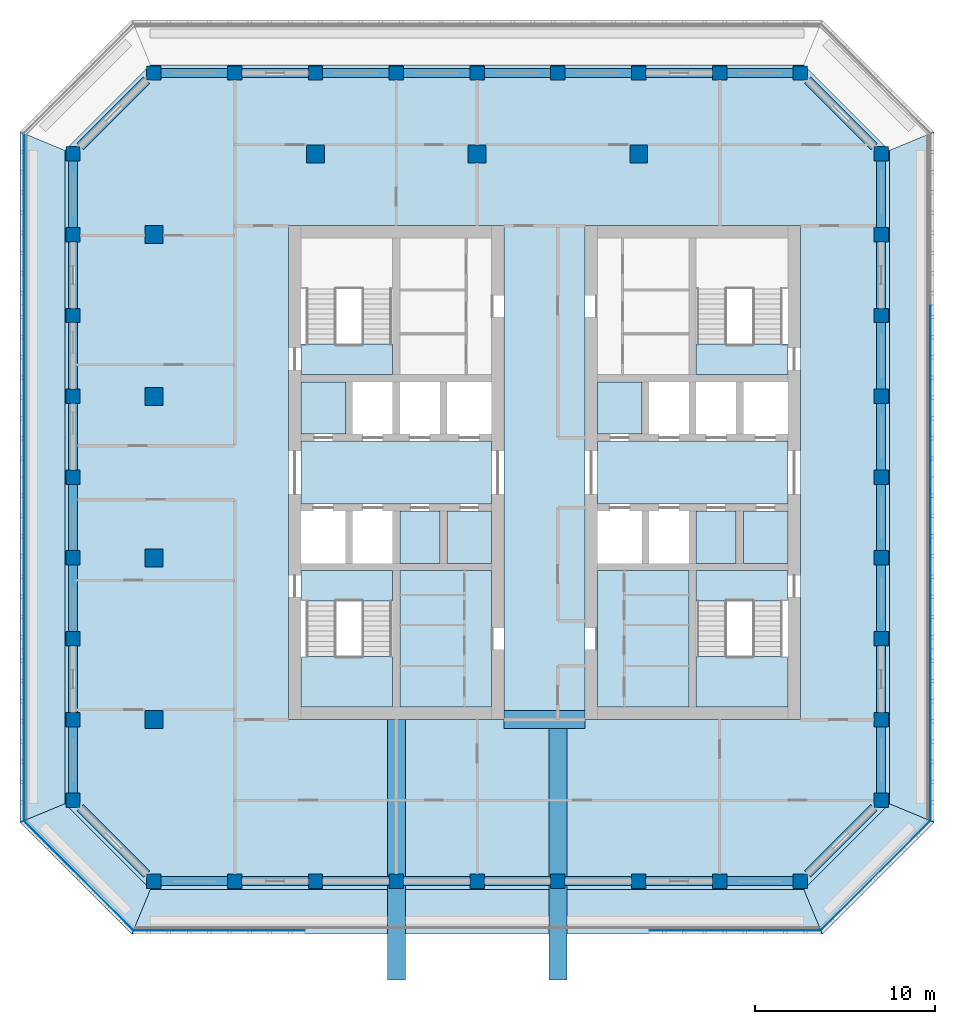
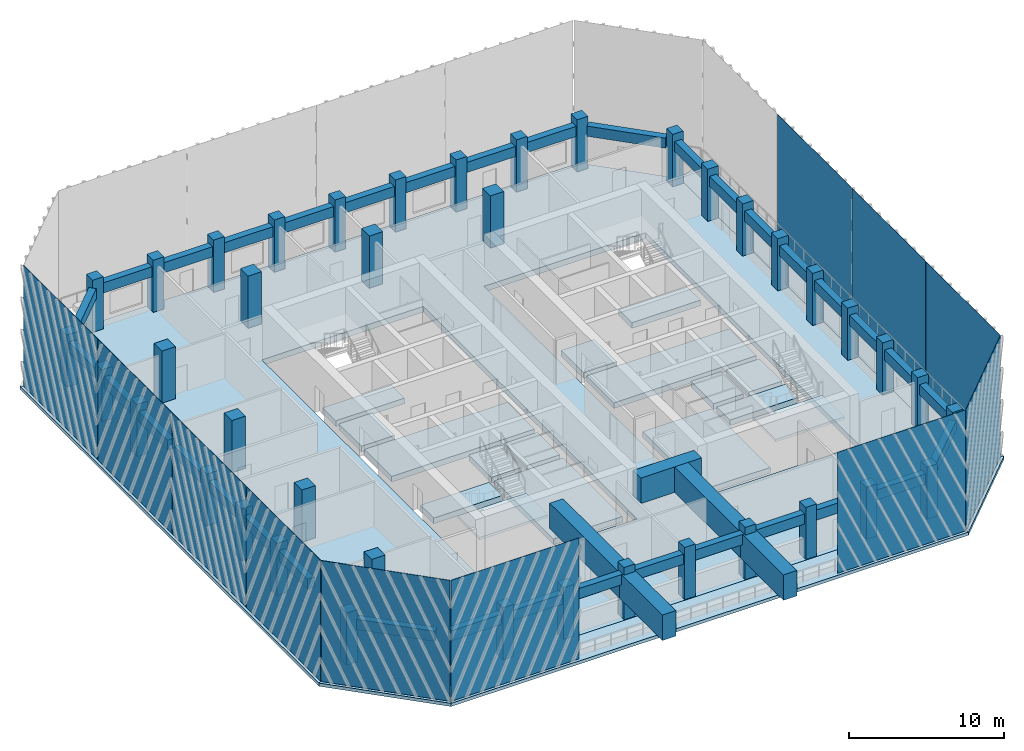
# One storey, part 1 of 16: 43 columns, 41 beams, 22 slabs, 11 plates, 2 elements without a shape of their own.
"""IFC4 building model written with IfcOpenShell, lengths in metres."""

from ifc_helpers import new_model, si_unit, direction, frame, origin, origin_2d, place, context, subcontext, project, spatial, polyline, rectangle, outline, extrude, material, layer, layer_set, material_profile, profile_set, type_object, element, aggregate, save


model = new_model("IFC4")

# Units and contexts
model_context = context("Model", 3, precision=1e-05, world=origin(), true_north=direction((0.0, 1.0)))
body_context = subcontext(model_context, "Body", "Model", "MODEL_VIEW")
ifc_project = project(units=[si_unit("LENGTHUNIT", "METRE"), si_unit("AREAUNIT", "SQUARE_METRE"), si_unit("VOLUMEUNIT", "CUBIC_METRE"), si_unit("PLANEANGLEUNIT", "RADIAN"), si_unit("MASSUNIT", "GRAM", prefix="KILO")], contexts=[model_context])

# Site, building, storey
site_placement = place(None, origin())
site = spatial("IfcSite", under=ifc_project, at=site_placement, CompositionType="ELEMENT")
building_placement = place(site_placement, origin())
building = spatial("IfcBuilding", under=site, at=building_placement, Name="Corbel Stack Research Tower", CompositionType="ELEMENT")
storey_placement = place(building_placement, frame((0.0, 0.0, 290.89990234375)))
storey = spatial("IfcBuildingStorey", under=building, at=storey_placement, Name="L66", CompositionType="ELEMENT", Elevation=290.89990234375)

# Columns
ifc_material_1 = material(Name="Concrete C60/75", Category="concrete")
ifc_material_profile_1 = material_profile(ifc_material_1, rectangle(XDim=1.0, YDim=1.0, at=origin_2d()), Name="RC 1000 x 1000")
ifc_profile_set_1 = profile_set([ifc_material_profile_1], Name="Concrete C60/75")
column_type_1 = type_object("IfcColumnType", Name="C-1000-60", PredefinedType="COLUMN", material=ifc_profile_set_1)
for number, where, z_axis, x_axis, name in (
    (1, (-18.0, -9.0, 0.0), (0.0, 0.0, 1.0), (1.0, 0.0, 0.0), "Column 4/F L66"),
    (2, (-18.0, 0.0, 0.0), (0.0, 0.0, 1.0), (1.0, 0.0, 0.0), "Column 4/H L66"),
    (3, (-18.0, 9.0, 0.0), (0.0, 0.0, 1.0), (1.0, 0.0, 0.0), "Column 4/K L66"),
    (4, (-18.0, 18.0, 0.0), (0.0, 0.0, 1.0), (1.0, 0.0, 0.0), "Column 4/M L66"),
    (5, (-9.0, 22.5, 0.0), (0.0, 0.0, 1.0), (1.0, 0.0, 0.0), "Column 6/N L66"),
    (6, (0.0, 22.5, 0.0), (0.0, 0.0, 1.0), (1.0, 0.0, 0.0), "Column 8/N L66"),
    (7, (9.0, 22.5, 0.0), (0.0, 0.0, 1.0), (1.0, 0.0, 0.0), "Column 10/N L66"),
):
    element("IfcColumn", number, at=place(storey_placement, frame(where, z_axis=z_axis, x_axis=x_axis)), inside=storey, type_object=column_type_1, Name=name, PredefinedType="COLUMN", context=body_context, shape_type="SweptSolid", body=[
        extrude(rectangle(XDim=1.0, YDim=1.0, at=origin_2d()), origin(), (0.0, 0.0, 1.0), 4.10009765625),
    ])
ifc_material_2 = material(Name="Concrete C60/75", Category="concrete")
ifc_material_profile_2 = material_profile(ifc_material_2, rectangle(XDim=0.800048828125, YDim=0.800048828125, at=origin_2d()), Name="RC 800 x 800")
ifc_profile_set_2 = profile_set([ifc_material_profile_2], Name="Concrete C60/75")
column_type_2 = type_object("IfcColumnType", Name="C-800-60", PredefinedType="COLUMN", material=ifc_profile_set_2)
for number, where, z_axis, x_axis, name in (
    (8, (-22.5, -13.5, 0.0), (0.0, 0.0, 1.0), (1.0, 0.0, 0.0), "Column 3/E L66"),
    (9, (-22.5, -9.0, 0.0), (0.0, 0.0, 1.0), (1.0, 0.0, 0.0), "Column 3/F L66"),
    (10, (-22.5, -4.5, 0.0), (0.0, 0.0, 1.0), (1.0, 0.0, 0.0), "Column 3/G L66"),
    (11, (-22.5, 0.0, 0.0), (0.0, 0.0, 1.0), (1.0, 0.0, 0.0), "Column 3/H L66"),
    (12, (-22.5, 4.5, 0.0), (0.0, 0.0, 1.0), (1.0, 0.0, 0.0), "Column 3/J L66"),
    (13, (-22.5, 9.0, 0.0), (0.0, 0.0, 1.0), (1.0, 0.0, 0.0), "Column 3/K L66"),
    (14, (-22.5, 13.5, 0.0), (0.0, 0.0, 1.0), (1.0, 0.0, 0.0), "Column 3/L L66"),
    (15, (-22.5, 18.0, 0.0), (0.0, 0.0, 1.0), (1.0, 0.0, 0.0), "Column 3/M L66"),
    (16, (-22.5, 22.5, 0.0), (0.0, 0.0, 1.0), (1.0, 0.0, 0.0), "Column 3/N L66"),
    (17, (-18.0, -18.0, 0.0), (0.0, 0.0, 1.0), (1.0, 0.0, 0.0), "Column 4/D L66"),
    (18, (-18.0, 27.0, 0.0), (0.0, 0.0, 1.0), (1.0, 0.0, 0.0), "Column 4/P L66"),
    (19, (-13.5, -18.0, 0.0), (0.0, 0.0, 1.0), (1.0, 0.0, 0.0), "Column 5/D L66"),
    (20, (-13.5, 27.0, 0.0), (0.0, 0.0, 1.0), (1.0, 0.0, 0.0), "Column 5/P L66"),
    (21, (-9.0, -18.0, 0.0), (0.0, 0.0, 1.0), (1.0, 0.0, 0.0), "Column 6/D L66"),
    (22, (-9.0, 27.0, 0.0), (0.0, 0.0, 1.0), (1.0, 0.0, 0.0), "Column 6/P L66"),
    (23, (-4.5, -18.0, 0.0), (0.0, 0.0, 1.0), (1.0, 0.0, 0.0), "Column 7/D L66"),
    (24, (-4.5, 27.0, 0.0), (0.0, 0.0, 1.0), (1.0, 0.0, 0.0), "Column 7/P L66"),
    (25, (0.0, -18.0, 0.0), (0.0, 0.0, 1.0), (1.0, 0.0, 0.0), "Column 8/D L66"),
    (26, (0.0, 27.0, 0.0), (0.0, 0.0, 1.0), (1.0, 0.0, 0.0), "Column 8/P L66"),
    (27, (4.5, -18.0, 0.0), (0.0, 0.0, 1.0), (1.0, 0.0, 0.0), "Column 9/D L66"),
    (28, (4.5, 27.0, 0.0), (0.0, 0.0, 1.0), (1.0, 0.0, 0.0), "Column 9/P L66"),
    (29, (9.0, -18.0, 0.0), (0.0, 0.0, 1.0), (1.0, 0.0, 0.0), "Column 10/D L66"),
    (30, (9.0, 27.0, 0.0), (0.0, 0.0, 1.0), (1.0, 0.0, 0.0), "Column 10/P L66"),
    (31, (13.5, -18.0, 0.0), (0.0, 0.0, 1.0), (1.0, 0.0, 0.0), "Column 11/D L66"),
    (32, (13.5, 27.0, 0.0), (0.0, 0.0, 1.0), (1.0, 0.0, 0.0), "Column 11/P L66"),
    (33, (18.0, -18.0, 0.0), (0.0, 0.0, 1.0), (1.0, 0.0, 0.0), "Column 12/D L66"),
    (34, (18.0, 27.0, 0.0), (0.0, 0.0, 1.0), (1.0, 0.0, 0.0), "Column 12/P L66"),
    (35, (22.5, -13.5, 0.0), (0.0, 0.0, 1.0), (1.0, 0.0, 0.0), "Column 13/E L66"),
    (36, (22.5, -9.0, 0.0), (0.0, 0.0, 1.0), (1.0, 0.0, 0.0), "Column 13/F L66"),
    (37, (22.5, -4.5, 0.0), (0.0, 0.0, 1.0), (1.0, 0.0, 0.0), "Column 13/G L66"),
    (38, (22.5, 0.0, 0.0), (0.0, 0.0, 1.0), (1.0, 0.0, 0.0), "Column 13/H L66"),
    (39, (22.5, 4.5, 0.0), (0.0, 0.0, 1.0), (1.0, 0.0, 0.0), "Column 13/J L66"),
    (40, (22.5, 9.0, 0.0), (0.0, 0.0, 1.0), (1.0, 0.0, 0.0), "Column 13/K L66"),
    (41, (22.5, 13.5, 0.0), (0.0, 0.0, 1.0), (1.0, 0.0, 0.0), "Column 13/L L66"),
    (42, (22.5, 18.0, 0.0), (0.0, 0.0, 1.0), (1.0, 0.0, 0.0), "Column 13/M L66"),
    (43, (22.5, 22.5, 0.0), (0.0, 0.0, 1.0), (1.0, 0.0, 0.0), "Column 13/N L66"),
):
    element("IfcColumn", number, at=place(storey_placement, frame(where, z_axis=z_axis, x_axis=x_axis)), inside=storey, type_object=column_type_2, Name=name, PredefinedType="COLUMN", context=body_context, shape_type="SweptSolid", body=[
        extrude(rectangle(XDim=0.800048828125, YDim=0.800048828125, at=origin_2d()), origin(), (0.0, 0.0, 1.0), 4.10009765625),
    ])

# Beams
ifc_material_3 = material(Name="Concrete C60/75", Category="concrete")
ifc_material_profile_3 = material_profile(ifc_material_3, rectangle(XDim=1.0, YDim=2.0, at=origin_2d()), Name="RC 1000 x 2000")
ifc_profile_set_3 = profile_set([ifc_material_profile_3], Name="Concrete C60/75")
beam_type_1 = type_object("IfcBeamType", Name="PG-1000-2000", PredefinedType="BEAM", material=ifc_profile_set_3)
beam_1_placement = place(storey_placement, frame((1.5, -9.0, 2.5), z_axis=(1.0, 0.0, 0.0), x_axis=(0.0, 1.0, 0.0)))
element("IfcBeam", 44, at=beam_1_placement, inside=storey, type_object=beam_type_1, Name="Pool transfer girder between the cores", PredefinedType="BEAM", context=body_context, shape_type="SweptSolid", body=[
    extrude(rectangle(XDim=1.0, YDim=2.0, at=origin_2d()), origin(), (0.0, 0.0, 1.0), 4.5),
])
beam_2_placement = place(storey_placement, frame((-4.5, -23.5, 2.5), z_axis=(0.0, 1.0, 0.0), x_axis=(-1.0, 0.0, 0.0)))
element("IfcBeam", 45, at=beam_2_placement, inside=storey, type_object=beam_type_1, Name="Pool cantilever girder 1", PredefinedType="BEAM", context=body_context, shape_type="SweptSolid", body=[
    extrude(rectangle(XDim=1.0, YDim=2.0, at=origin_2d()), origin(), (0.0, 0.0, 1.0), 5.5),
])
beam_3_placement = place(storey_placement, frame((-4.5, -18.0, 2.5), z_axis=(0.0, 1.0, 0.0), x_axis=(-1.0, 0.0, 0.0)))
element("IfcBeam", 46, at=beam_3_placement, inside=storey, type_object=beam_type_1, Name="Pool back-span girder 1", PredefinedType="BEAM", context=body_context, shape_type="SweptSolid", body=[
    extrude(rectangle(XDim=1.0, YDim=2.0, at=origin_2d()), origin(), (0.0, 0.0, 1.0), 9.0),
])
beam_4_placement = place(storey_placement, frame((4.5, -23.5, 2.5), z_axis=(0.0, 1.0, 0.0), x_axis=(-1.0, 0.0, 0.0)))
element("IfcBeam", 47, at=beam_4_placement, inside=storey, type_object=beam_type_1, Name="Pool cantilever girder 2", PredefinedType="BEAM", context=body_context, shape_type="SweptSolid", body=[
    extrude(rectangle(XDim=1.0, YDim=2.0, at=origin_2d()), origin(), (0.0, 0.0, 1.0), 5.5),
])
beam_5_placement = place(storey_placement, frame((4.5, -18.0, 2.5), z_axis=(0.0, 1.0, 0.0), x_axis=(-1.0, 0.0, 0.0)))
element("IfcBeam", 48, at=beam_5_placement, inside=storey, type_object=beam_type_1, Name="Pool back-span girder 2", PredefinedType="BEAM", context=body_context, shape_type="SweptSolid", body=[
    extrude(rectangle(XDim=1.0, YDim=2.0, at=origin_2d()), origin(), (0.0, 0.0, 1.0), 8.5),
])
ifc_material_4 = material(Name="Concrete C60/75", Category="concrete")
ifc_material_profile_4 = material_profile(ifc_material_4, rectangle(XDim=0.5, YDim=0.800048828125, at=origin_2d()), Name="RC 500 x 800")
ifc_profile_set_4 = profile_set([ifc_material_profile_4], Name="Concrete C60/75")
beam_type_2 = type_object("IfcBeamType", Name="SB-500-800-600", PredefinedType="SPANDREL", material=ifc_profile_set_4)
for number, where, z_axis, x_axis, name in (
    (49, (-17.60009765625, -18.0, 3.10009765625), (1.0, 0.0, 0.0), (0.0, 1.0, 0.0), "Spandrel beam L66-01"),
    (50, (-13.10009765625, -18.0, 3.10009765625), (1.0, 0.0, 0.0), (0.0, 1.0, 0.0), "Spandrel beam L66-02"),
    (51, (-8.60009765625, -18.0, 3.10009765625), (1.0, 0.0, 0.0), (0.0, 1.0, 0.0), "Spandrel beam L66-03"),
    (52, (-4.10009765625, -18.0, 3.10009765625), (1.0, 0.0, 0.0), (0.0, 1.0, 0.0), "Spandrel beam L66-04"),
    (53, (0.39990234375, -18.0, 3.10009765625), (1.0, 0.0, 0.0), (0.0, 1.0, 0.0), "Spandrel beam L66-05"),
    (54, (4.89990234375, -18.0, 3.10009765625), (1.0, 0.0, 0.0), (0.0, 1.0, 0.0), "Spandrel beam L66-06"),
    (55, (9.39990234375, -18.0, 3.10009765625), (1.0, 0.0, 0.0), (0.0, 1.0, 0.0), "Spandrel beam L66-07"),
    (56, (13.89990234375, -18.0, 3.10009765625), (1.0, 0.0, 0.0), (0.0, 1.0, 0.0), "Spandrel beam L66-08"),
):
    element("IfcBeam", number, at=place(storey_placement, frame(where, z_axis=z_axis, x_axis=x_axis)), inside=storey, type_object=beam_type_2, Name=name, PredefinedType="SPANDREL", context=body_context, shape_type="SweptSolid", body=[
        extrude(rectangle(XDim=0.5, YDim=0.800048828125, at=origin_2d()), origin(), (0.0, 0.0, 1.0), 3.7001953125),
    ])
beam_6_placement = place(storey_placement, frame((18.39990234375, -17.60009765625, 3.10009765625), z_axis=(0.707106781187, 0.707106781187, 0.0), x_axis=(-0.707106781187, 0.707106781187, 0.0)))
element("IfcBeam", 57, at=beam_6_placement, inside=storey, type_object=beam_type_2, Name="Spandrel beam L66-09", PredefinedType="SPANDREL", context=body_context, shape_type="SweptSolid", body=[
    extrude(rectangle(XDim=0.5, YDim=0.800048828125, at=origin_2d()), origin(), (0.0, 0.0, 1.0), 5.23291015625),
])
for number, where, z_axis, x_axis, name in (
    (58, (22.5, -13.10009765625, 3.10009765625), (0.0, 1.0, 0.0), (-1.0, 0.0, 0.0), "Spandrel beam L66-10"),
    (59, (22.5, -8.60009765625, 3.10009765625), (0.0, 1.0, 0.0), (-1.0, 0.0, 0.0), "Spandrel beam L66-11"),
    (60, (22.5, -4.10009765625, 3.10009765625), (0.0, 1.0, 0.0), (-1.0, 0.0, 0.0), "Spandrel beam L66-12"),
    (61, (22.5, 0.39990234375, 3.10009765625), (0.0, 1.0, 0.0), (-1.0, 0.0, 0.0), "Spandrel beam L66-13"),
    (62, (22.5, 4.89990234375, 3.10009765625), (0.0, 1.0, 0.0), (-1.0, 0.0, 0.0), "Spandrel beam L66-14"),
    (63, (22.5, 9.39990234375, 3.10009765625), (0.0, 1.0, 0.0), (-1.0, 0.0, 0.0), "Spandrel beam L66-15"),
    (64, (22.5, 13.89990234375, 3.10009765625), (0.0, 1.0, 0.0), (-1.0, 0.0, 0.0), "Spandrel beam L66-16"),
    (65, (22.5, 18.39990234375, 3.10009765625), (0.0, 1.0, 0.0), (-1.0, 0.0, 0.0), "Spandrel beam L66-17"),
):
    element("IfcBeam", number, at=place(storey_placement, frame(where, z_axis=z_axis, x_axis=x_axis)), inside=storey, type_object=beam_type_2, Name=name, PredefinedType="SPANDREL", context=body_context, shape_type="SweptSolid", body=[
        extrude(rectangle(XDim=0.5, YDim=0.800048828125, at=origin_2d()), origin(), (0.0, 0.0, 1.0), 3.7001953125),
    ])
beam_7_placement = place(storey_placement, frame((22.10009765625, 22.89990234375, 3.10009765625), z_axis=(-0.707106781187, 0.707106781187, 0.0), x_axis=(-0.707106781187, -0.707106781187, 0.0)))
element("IfcBeam", 66, at=beam_7_placement, inside=storey, type_object=beam_type_2, Name="Spandrel beam L66-18", PredefinedType="SPANDREL", context=body_context, shape_type="SweptSolid", body=[
    extrude(rectangle(XDim=0.5, YDim=0.800048828125, at=origin_2d()), origin(), (0.0, 0.0, 1.0), 5.23291015625),
])
for number, where, z_axis, x_axis, name in (
    (67, (17.60009765625, 27.0, 3.10009765625), (-1.0, 0.0, 0.0), (0.0, -1.0, 0.0), "Spandrel beam L66-19"),
    (68, (13.10009765625, 27.0, 3.10009765625), (-1.0, 0.0, 0.0), (0.0, -1.0, 0.0), "Spandrel beam L66-20"),
    (69, (8.60009765625, 27.0, 3.10009765625), (-1.0, 0.0, 0.0), (0.0, -1.0, 0.0), "Spandrel beam L66-21"),
    (70, (4.10009765625, 27.0, 3.10009765625), (-1.0, 0.0, 0.0), (0.0, -1.0, 0.0), "Spandrel beam L66-22"),
    (71, (-0.39990234375, 27.0, 3.10009765625), (-1.0, 0.0, 0.0), (0.0, -1.0, 0.0), "Spandrel beam L66-23"),
    (72, (-4.89990234375, 27.0, 3.10009765625), (-1.0, 0.0, 0.0), (0.0, -1.0, 0.0), "Spandrel beam L66-24"),
    (73, (-9.39990234375, 27.0, 3.10009765625), (-1.0, 0.0, 0.0), (0.0, -1.0, 0.0), "Spandrel beam L66-25"),
    (74, (-13.89990234375, 27.0, 3.10009765625), (-1.0, 0.0, 0.0), (0.0, -1.0, 0.0), "Spandrel beam L66-26"),
):
    element("IfcBeam", number, at=place(storey_placement, frame(where, z_axis=z_axis, x_axis=x_axis)), inside=storey, type_object=beam_type_2, Name=name, PredefinedType="SPANDREL", context=body_context, shape_type="SweptSolid", body=[
        extrude(rectangle(XDim=0.5, YDim=0.800048828125, at=origin_2d()), origin(), (0.0, 0.0, 1.0), 3.7001953125),
    ])
beam_8_placement = place(storey_placement, frame((-18.39990234375, 26.60009765625, 3.10009765625), z_axis=(-0.707106781187, -0.707106781187, 0.0), x_axis=(0.707106781187, -0.707106781187, 0.0)))
element("IfcBeam", 75, at=beam_8_placement, inside=storey, type_object=beam_type_2, Name="Spandrel beam L66-27", PredefinedType="SPANDREL", context=body_context, shape_type="SweptSolid", body=[
    extrude(rectangle(XDim=0.5, YDim=0.800048828125, at=origin_2d()), origin(), (0.0, 0.0, 1.0), 5.23291015625),
])
for number, where, z_axis, x_axis, name in (
    (76, (-22.5, 22.10009765625, 3.10009765625), (0.0, -1.0, 0.0), (1.0, 0.0, 0.0), "Spandrel beam L66-28"),
    (77, (-22.5, 17.60009765625, 3.10009765625), (0.0, -1.0, 0.0), (1.0, 0.0, 0.0), "Spandrel beam L66-29"),
    (78, (-22.5, 13.10009765625, 3.10009765625), (0.0, -1.0, 0.0), (1.0, 0.0, 0.0), "Spandrel beam L66-30"),
    (79, (-22.5, 8.60009765625, 3.10009765625), (0.0, -1.0, 0.0), (1.0, 0.0, 0.0), "Spandrel beam L66-31"),
    (80, (-22.5, 4.10009765625, 3.10009765625), (0.0, -1.0, 0.0), (1.0, 0.0, 0.0), "Spandrel beam L66-32"),
    (81, (-22.5, -0.39990234375, 3.10009765625), (0.0, -1.0, 0.0), (1.0, 0.0, 0.0), "Spandrel beam L66-33"),
    (82, (-22.5, -4.89990234375, 3.10009765625), (0.0, -1.0, 0.0), (1.0, 0.0, 0.0), "Spandrel beam L66-34"),
    (83, (-22.5, -9.39990234375, 3.10009765625), (0.0, -1.0, 0.0), (1.0, 0.0, 0.0), "Spandrel beam L66-35"),
):
    element("IfcBeam", number, at=place(storey_placement, frame(where, z_axis=z_axis, x_axis=x_axis)), inside=storey, type_object=beam_type_2, Name=name, PredefinedType="SPANDREL", context=body_context, shape_type="SweptSolid", body=[
        extrude(rectangle(XDim=0.5, YDim=0.800048828125, at=origin_2d()), origin(), (0.0, 0.0, 1.0), 3.7001953125),
    ])
beam_9_placement = place(storey_placement, frame((-22.10009765625, -13.89990234375, 3.10009765625), z_axis=(0.707106781187, -0.707106781187, 0.0), x_axis=(0.707106781187, 0.707106781187, 0.0)))
element("IfcBeam", 84, at=beam_9_placement, inside=storey, type_object=beam_type_2, Name="Spandrel beam L66-36", PredefinedType="SPANDREL", context=body_context, shape_type="SweptSolid", body=[
    extrude(rectangle(XDim=0.5, YDim=0.800048828125, at=origin_2d()), origin(), (0.0, 0.0, 1.0), 5.23291015625),
])

# Plates
ifc_material_5 = material(Name="Fritted glass", Category="glass")
ifc_layer_1 = layer(ifc_material_5, 0.02490234375)
ifc_layer_set_1 = layer_set([ifc_layer_1], Name="Fritted glass")
plate_type = type_object("IfcPlateType", Name="Fritted glass panel 25", PredefinedType="SHEET", material=ifc_layer_set_1)
for number, where, z_axis, x_axis, name in (
    (85, (-14.354248046875, -20.737548828125, 0.0), (0.0, 0.0, 1.0), (1.0, 0.0, 0.0), "Fritted glass L66 S1"),
    (86, (14.354248046875, -20.737548828125, 0.0), (0.0, 0.0, 1.0), (1.0, 0.0, 0.0), "Fritted glass L66 S4"),
):
    element("IfcPlate", number, at=place(storey_placement, frame(where, z_axis=z_axis, x_axis=x_axis)), inside=storey, type_object=plate_type, Name=name, PredefinedType="SHEET", context=body_context, shape_type="SweptSolid", body=[
        extrude(rectangle(XDim=9.509521484375, YDim=0.02490234375, at=origin_2d()), origin(), (0.0, 0.0, 1.0), 9.5),
    ])
plate_1_placement = place(storey_placement, frame((22.185791015625, -17.685791015625, 0.0), z_axis=(0.0, 0.0, 1.0), x_axis=(0.707106781187, 0.707106781187, 0.0)))
element("IfcPlate", 87, at=plate_1_placement, inside=storey, type_object=plate_type, Name="Fritted glass L66 SE1", PredefinedType="SHEET", context=body_context, shape_type="SweptSolid", body=[
    extrude(rectangle(XDim=8.58203125, YDim=0.02490234375, at=origin_2d()), origin(), (0.0, 0.0, 1.0), 9.5),
])
for number, where, z_axis, x_axis, name in (
    (88, (25.237548828125, -9.854248046875, 0.0), (0.0, 0.0, 1.0), (0.0, 1.0, 0.0), "Fritted glass L66 E1"),
    (89, (25.237548828125, -0.284912109375, 0.0), (0.0, 0.0, 1.0), (0.0, 1.0, 0.0), "Fritted glass L66 E2"),
    (90, (25.237548828125, 9.284912109375, 0.0), (0.0, 0.0, 1.0), (0.0, 1.0, 0.0), "Fritted glass L66 E3"),
    (91, (-25.237548828125, 18.854248046875, 0.0), (0.0, 0.0, 1.0), (0.0, -1.0, 0.0), "Fritted glass L66 W1"),
    (92, (-25.237548828125, 9.284912109375, 0.0), (0.0, 0.0, 1.0), (0.0, -1.0, 0.0), "Fritted glass L66 W2"),
    (93, (-25.237548828125, -0.284912109375, 0.0), (0.0, 0.0, 1.0), (0.0, -1.0, 0.0), "Fritted glass L66 W3"),
    (94, (-25.237548828125, -9.854248046875, 0.0), (0.0, 0.0, 1.0), (0.0, -1.0, 0.0), "Fritted glass L66 W4"),
):
    element("IfcPlate", number, at=place(storey_placement, frame(where, z_axis=z_axis, x_axis=x_axis)), inside=storey, type_object=plate_type, Name=name, PredefinedType="SHEET", context=body_context, shape_type="SweptSolid", body=[
        extrude(rectangle(XDim=9.509521484375, YDim=0.02490234375, at=origin_2d()), origin(), (0.0, 0.0, 1.0), 9.5),
    ])
plate_2_placement = place(storey_placement, frame((-22.185791015625, -17.685791015625, 0.0), z_axis=(0.0, 0.0, 1.0), x_axis=(0.707106781187, -0.707106781187, 0.0)))
element("IfcPlate", 95, at=plate_2_placement, inside=storey, type_object=plate_type, Name="Fritted glass L66 SW1", PredefinedType="SHEET", context=body_context, shape_type="SweptSolid", body=[
    extrude(rectangle(XDim=8.58203125, YDim=0.02490234375, at=origin_2d()), origin(), (0.0, 0.0, 1.0), 9.5),
])

# Slabs
ifc_material_6 = material(Name="Concrete C45/55", Category="concrete")
ifc_layer_2 = layer(ifc_material_6, 0.25)
ifc_layer_set_2 = layer_set([ifc_layer_2], Name="Concrete C45/55")
slab_type_1 = type_object("IfcSlabType", Name="PT balcony slab 250 C45/55", PredefinedType="FLOOR", material=ifc_layer_set_2)
slab_1_placement = place(storey_placement, frame((0.0, 0.0, -0.25)))
element("IfcSlab", 96, at=slab_1_placement, inside=storey, type_object=slab_type_1, Name="Loggia slab L66 S", PredefinedType="FLOOR", context=body_context, shape_type="SweptSolid", body=[
    extrude(outline(polyline([(18.186279296875, -18.449951171875), (-18.186279296875, -18.449951171875), (-19.221923828125, -20.949951171875), (19.221923828125, -20.949951171875), (18.186279296875, -18.449951171875)])), origin(), (0.0, 0.0, 1.0), 0.25),
])
slab_2_placement = place(storey_placement, frame((0.0, 0.0, -0.25)))
element("IfcSlab", 97, at=slab_2_placement, inside=storey, type_object=slab_type_1, Name="Loggia slab L66 SE", PredefinedType="FLOOR", context=body_context, shape_type="SweptSolid", body=[
    extrude(outline(polyline([(22.949951171875, -13.686279296875), (22.89990234375, -13.736328125), (22.89990234375, -13.89990234375), (22.736328125, -13.89990234375), (18.39990234375, -18.236328125), (18.39990234375, -18.39990234375), (18.236328125, -18.39990234375), (18.186279296875, -18.449951171875), (19.221923828125, -20.949951171875), (25.449951171875, -14.721923828125), (22.949951171875, -13.686279296875)])), origin(), (0.0, 0.0, 1.0), 0.25),
])
slab_3_placement = place(storey_placement, frame((0.0, 0.0, -0.25)))
element("IfcSlab", 98, at=slab_3_placement, inside=storey, type_object=slab_type_1, Name="Loggia slab L66 E", PredefinedType="FLOOR", context=body_context, shape_type="SweptSolid", body=[
    extrude(outline(polyline([(22.949951171875, 22.686279296875), (22.949951171875, -13.686279296875), (25.449951171875, -14.721923828125), (25.449951171875, 23.721923828125), (22.949951171875, 22.686279296875)])), origin(), (0.0, 0.0, 1.0), 0.25),
])
slab_4_placement = place(storey_placement, frame((0.0, 0.0, -0.25)))
element("IfcSlab", 99, at=slab_4_placement, inside=storey, type_object=slab_type_1, Name="Loggia slab L66 W", PredefinedType="FLOOR", context=body_context, shape_type="SweptSolid", body=[
    extrude(outline(polyline([(-22.949951171875, -13.686279296875), (-22.949951171875, 22.686279296875), (-25.449951171875, 23.721923828125), (-25.449951171875, -14.721923828125), (-22.949951171875, -13.686279296875)])), origin(), (0.0, 0.0, 1.0), 0.25),
])
slab_5_placement = place(storey_placement, frame((0.0, 0.0, -0.25)))
element("IfcSlab", 100, at=slab_5_placement, inside=storey, type_object=slab_type_1, Name="Loggia slab L66 SW", PredefinedType="FLOOR", context=body_context, shape_type="SweptSolid", body=[
    extrude(outline(polyline([(-18.186279296875, -18.449951171875), (-18.236328125, -18.39990234375), (-18.39990234375, -18.39990234375), (-18.39990234375, -18.236328125), (-22.736328125, -13.89990234375), (-22.89990234375, -13.89990234375), (-22.89990234375, -13.736328125), (-22.949951171875, -13.686279296875), (-25.449951171875, -14.721923828125), (-19.221923828125, -20.949951171875), (-18.186279296875, -18.449951171875)])), origin(), (0.0, 0.0, 1.0), 0.25),
])
ifc_material_7 = material(Name="Concrete C45/55", Category="concrete")
ifc_layer_3 = layer(ifc_material_7, 0.449951171875)
ifc_layer_set_3 = layer_set([ifc_layer_3], Name="Concrete C45/55")
slab_type_2 = type_object("IfcSlabType", Name="PT-450", PredefinedType="FLOOR", material=ifc_layer_set_3)
slab_6_placement = place(storey_placement, frame((0.0, 0.0, -0.449951171875)))
element("IfcSlab", 101, at=slab_6_placement, inside=storey, type_object=slab_type_2, Name="Floor slab L66", PredefinedType="FLOOR", context=body_context, shape_type="SweptSolid", body=[
    extrude(outline(polyline([(-18.186279296875, -18.449951171875), (18.186279296875, -18.449951171875), (22.949951171875, -13.686279296875), (22.949951171875, 22.686279296875), (18.186279296875, 27.449951171875), (-18.186279296875, 27.449951171875), (-22.949951171875, 22.686279296875), (-22.949951171875, -13.686279296875), (-18.186279296875, -18.449951171875)]), holes=[polyline([(18.0, 18.5), (18.0, -9.0), (6.0, -9.0), (6.0, 18.5), (18.0, 18.5)]), polyline([(9.5, 22.0), (8.5, 22.0), (8.5, 23.0), (9.5, 23.0), (9.5, 22.0)]), polyline([(1.5, 18.5), (1.5, -9.0), (-10.5, -9.0), (-10.5, 18.5), (1.5, 18.5)]), polyline([(0.5, 22.0), (-0.5, 22.0), (-0.5, 23.0), (0.5, 23.0), (0.5, 22.0)]), polyline([(-8.5, 23.0), (-8.5, 22.0), (-9.5, 22.0), (-9.5, 23.0), (-8.5, 23.0)]), polyline([(-17.5, -8.5), (-17.5, -9.5), (-18.5, -9.5), (-18.5, -8.5), (-17.5, -8.5)]), polyline([(-17.5, 0.5), (-17.5, -0.5), (-18.5, -0.5), (-18.5, 0.5), (-17.5, 0.5)]), polyline([(-17.5, 9.5), (-17.5, 8.5), (-18.5, 8.5), (-18.5, 9.5), (-17.5, 9.5)]), polyline([(-17.5, 18.5), (-17.5, 17.5), (-18.5, 17.5), (-18.5, 18.5), (-17.5, 18.5)])]), origin(), (0.0, 0.0, 1.0), 0.449951171875),
])
slab_7_placement = place(storey_placement, frame((0.0, 0.0, -0.449951171875)))
element("IfcSlab", 102, at=slab_7_placement, inside=storey, type_object=slab_type_2, Name="West core floor L66", PredefinedType="FLOOR", context=body_context, shape_type="SweptSolid", body=[
    extrude(outline(polyline([(-9.800048828125, 6.5), (-9.800048828125, 3.0), (0.800048828125, 3.0), (0.800048828125, 6.5), (-9.800048828125, 6.5)])), origin(), (0.0, 0.0, 1.0), 0.449951171875),
])
slab_8_placement = place(storey_placement, frame((0.0, 0.0, -0.449951171875)))
element("IfcSlab", 103, at=slab_8_placement, inside=storey, type_object=slab_type_2, Name="West core floor L66", PredefinedType="FLOOR", context=body_context, shape_type="SweptSolid", body=[
    extrude(outline(polyline([(-9.800048828125, 6.89990234375), (-7.324951171875, 6.89990234375), (-7.324951171875, 9.800048828125), (-9.800048828125, 9.800048828125), (-9.800048828125, 6.89990234375)])), origin(), (0.0, 0.0, 1.0), 0.449951171875),
])
slab_9_placement = place(storey_placement, frame((0.0, 0.0, -0.449951171875)))
element("IfcSlab", 104, at=slab_9_placement, inside=storey, type_object=slab_type_2, Name="West core floor L66", PredefinedType="FLOOR", context=body_context, shape_type="SweptSolid", body=[
    extrude(outline(polyline([(-4.300048828125, -0.699951171875), (-4.300048828125, -8.300048828125), (0.800048828125, -8.300048828125), (0.800048828125, -0.699951171875), (-4.300048828125, -0.699951171875)])), origin(), (0.0, 0.0, 1.0), 0.449951171875),
])
slab_10_placement = place(storey_placement, frame((0.0, 0.0, -0.449951171875)))
element("IfcSlab", 105, at=slab_10_placement, inside=storey, type_object=slab_type_2, Name="West core floor L66", PredefinedType="FLOOR", context=body_context, shape_type="SweptSolid", body=[
    extrude(outline(polyline([(-4.300048828125, 2.60009765625), (-4.300048828125, -0.300048828125), (-2.074951171875, -0.300048828125), (-2.074951171875, 2.60009765625), (-4.300048828125, 2.60009765625)])), origin(), (0.0, 0.0, 1.0), 0.449951171875),
])
slab_11_placement = place(storey_placement, frame((0.0, 0.0, -0.449951171875)))
element("IfcSlab", 106, at=slab_11_placement, inside=storey, type_object=slab_type_2, Name="West core floor L66", PredefinedType="FLOOR", context=body_context, shape_type="SweptSolid", body=[
    extrude(outline(polyline([(-1.675048828125, 2.60009765625), (-1.675048828125, -0.300048828125), (0.800048828125, -0.300048828125), (0.800048828125, 2.60009765625), (-1.675048828125, 2.60009765625)])), origin(), (0.0, 0.0, 1.0), 0.449951171875),
])
slab_12_placement = place(storey_placement, frame((0.0, 0.0, -0.449951171875)))
element("IfcSlab", 107, at=slab_12_placement, inside=storey, type_object=slab_type_2, Name="East core floor L66", PredefinedType="FLOOR", context=body_context, shape_type="SweptSolid", body=[
    extrude(outline(polyline([(6.699951171875, -8.300048828125), (11.800048828125, -8.300048828125), (11.800048828125, -0.699951171875), (6.699951171875, -0.699951171875), (6.699951171875, -8.300048828125)])), origin(), (0.0, 0.0, 1.0), 0.449951171875),
])
slab_13_placement = place(storey_placement, frame((0.0, 0.0, -0.449951171875)))
element("IfcSlab", 108, at=slab_13_placement, inside=storey, type_object=slab_type_2, Name="East core floor L66", PredefinedType="FLOOR", context=body_context, shape_type="SweptSolid", body=[
    extrude(outline(polyline([(6.699951171875, 3.0), (17.300048828125, 3.0), (17.300048828125, 6.5), (6.699951171875, 6.5), (6.699951171875, 3.0)])), origin(), (0.0, 0.0, 1.0), 0.449951171875),
])
slab_14_placement = place(storey_placement, frame((0.0, 0.0, -0.449951171875)))
element("IfcSlab", 109, at=slab_14_placement, inside=storey, type_object=slab_type_2, Name="East core floor L66", PredefinedType="FLOOR", context=body_context, shape_type="SweptSolid", body=[
    extrude(outline(polyline([(6.699951171875, 6.89990234375), (9.175048828125, 6.89990234375), (9.175048828125, 9.800048828125), (6.699951171875, 9.800048828125), (6.699951171875, 6.89990234375)])), origin(), (0.0, 0.0, 1.0), 0.449951171875),
])
slab_15_placement = place(storey_placement, frame((0.0, 0.0, -0.449951171875)))
element("IfcSlab", 110, at=slab_15_placement, inside=storey, type_object=slab_type_2, Name="East core floor L66", PredefinedType="FLOOR", context=body_context, shape_type="SweptSolid", body=[
    extrude(outline(polyline([(12.199951171875, 2.60009765625), (12.199951171875, -0.300048828125), (14.425048828125, -0.300048828125), (14.425048828125, 2.60009765625), (12.199951171875, 2.60009765625)])), origin(), (0.0, 0.0, 1.0), 0.449951171875),
])
slab_16_placement = place(storey_placement, frame((0.0, 0.0, -0.449951171875)))
element("IfcSlab", 111, at=slab_16_placement, inside=storey, type_object=slab_type_2, Name="East core floor L66", PredefinedType="FLOOR", context=body_context, shape_type="SweptSolid", body=[
    extrude(outline(polyline([(14.824951171875, 2.60009765625), (14.824951171875, -0.300048828125), (17.300048828125, -0.300048828125), (17.300048828125, 2.60009765625), (14.824951171875, 2.60009765625)])), origin(), (0.0, 0.0, 1.0), 0.449951171875),
])
slab_17_placement = place(storey_placement, frame((0.0, 0.0, -0.449951171875)))
element("IfcSlab", 112, at=slab_17_placement, inside=storey, type_object=slab_type_2, Name="Stair floor landing ST-W1", PredefinedType="FLOOR", context=body_context, shape_type="SweptSolid", body=[
    extrude(outline(polyline([(-9.800048828125, -2.39990234375), (-4.699951171875, -2.39990234375), (-4.699951171875, -0.699951171875), (-9.800048828125, -0.699951171875), (-9.800048828125, -2.39990234375)])), origin(), (0.0, 0.0, 1.0), 0.449951171875),
])
slab_18_placement = place(storey_placement, frame((0.0, 0.0, -0.449951171875)))
element("IfcSlab", 113, at=slab_18_placement, inside=storey, type_object=slab_type_2, Name="Stair floor landing ST-W2", PredefinedType="FLOOR", context=body_context, shape_type="SweptSolid", body=[
    extrude(outline(polyline([(-9.800048828125, 10.199951171875), (-4.699951171875, 10.199951171875), (-4.699951171875, 11.89990234375), (-9.800048828125, 11.89990234375), (-9.800048828125, 10.199951171875)])), origin(), (0.0, 0.0, 1.0), 0.449951171875),
])
slab_19_placement = place(storey_placement, frame((0.0, 0.0, -0.449951171875)))
element("IfcSlab", 114, at=slab_19_placement, inside=storey, type_object=slab_type_2, Name="Stair floor landing ST-E1", PredefinedType="FLOOR", context=body_context, shape_type="SweptSolid", body=[
    extrude(outline(polyline([(12.199951171875, -2.39990234375), (17.300048828125, -2.39990234375), (17.300048828125, -0.699951171875), (12.199951171875, -0.699951171875), (12.199951171875, -2.39990234375)])), origin(), (0.0, 0.0, 1.0), 0.449951171875),
])
slab_20_placement = place(storey_placement, frame((0.0, 0.0, -0.449951171875)))
element("IfcSlab", 115, at=slab_20_placement, inside=storey, type_object=slab_type_2, Name="Stair floor landing ST-E2", PredefinedType="FLOOR", context=body_context, shape_type="SweptSolid", body=[
    extrude(outline(polyline([(12.199951171875, 10.199951171875), (17.300048828125, 10.199951171875), (17.300048828125, 11.89990234375), (12.199951171875, 11.89990234375), (12.199951171875, 10.199951171875)])), origin(), (0.0, 0.0, 1.0), 0.449951171875),
])

# Stair, slab
ifc_material_8 = material(Name="Concrete C40/50", Category="concrete")
stair_type = type_object("IfcStairType", Name="Exit stair 24 risers", PredefinedType="HALF_TURN_STAIR", material=ifc_material_8)
stair_1_placement = place(storey_placement, origin())
stair_1 = element("IfcStair", 116, at=stair_1_placement, inside=storey, type_object=stair_type, Name="L66 Exit stair ST-W1", PredefinedType="HALF_TURN_STAIR")
ifc_material_9 = material(Name="Concrete C40/50", Category="concrete")
ifc_layer_4 = layer(ifc_material_9, 0.199951171875)
ifc_layer_set_4 = layer_set([ifc_layer_4], Name="Concrete C40/50")
slab_type_3 = type_object("IfcSlabType", Name="Stair landing 200 C40/50", PredefinedType="LANDING", material=ifc_layer_set_4)
slab_21_placement = place(storey_placement, frame((0.0, 0.0, 1.85009765625)))
slab_21 = element("IfcSlab", 117, at=slab_21_placement, type_object=slab_type_3, Name="ST-W1 landing 1", PredefinedType="LANDING", context=body_context, shape_type="SweptSolid", body=[
    extrude(outline(polyline([(-9.800048828125, -8.300048828125), (-9.800048828125, -5.47998046875), (-4.699951171875, -5.47998046875), (-4.699951171875, -8.300048828125), (-9.800048828125, -8.300048828125)])), origin(), (0.0, 0.0, 1.0), 0.199951171875),
])
aggregate(stair_1, [slab_21])

stair_2_placement = place(storey_placement, origin())
stair_2 = element("IfcStair", 118, at=stair_2_placement, inside=storey, type_object=stair_type, Name="L66 Exit stair ST-E1", PredefinedType="HALF_TURN_STAIR")
slab_22_placement = place(storey_placement, frame((0.0, 0.0, 1.85009765625)))
slab_22 = element("IfcSlab", 119, at=slab_22_placement, type_object=slab_type_3, Name="ST-E1 landing 1", PredefinedType="LANDING", context=body_context, shape_type="SweptSolid", body=[
    extrude(outline(polyline([(12.199951171875, -8.300048828125), (12.199951171875, -5.47998046875), (17.300048828125, -5.47998046875), (17.300048828125, -8.300048828125), (12.199951171875, -8.300048828125)])), origin(), (0.0, 0.0, 1.0), 0.199951171875),
])
aggregate(stair_2, [slab_22])

save(model, "model.ifc")
